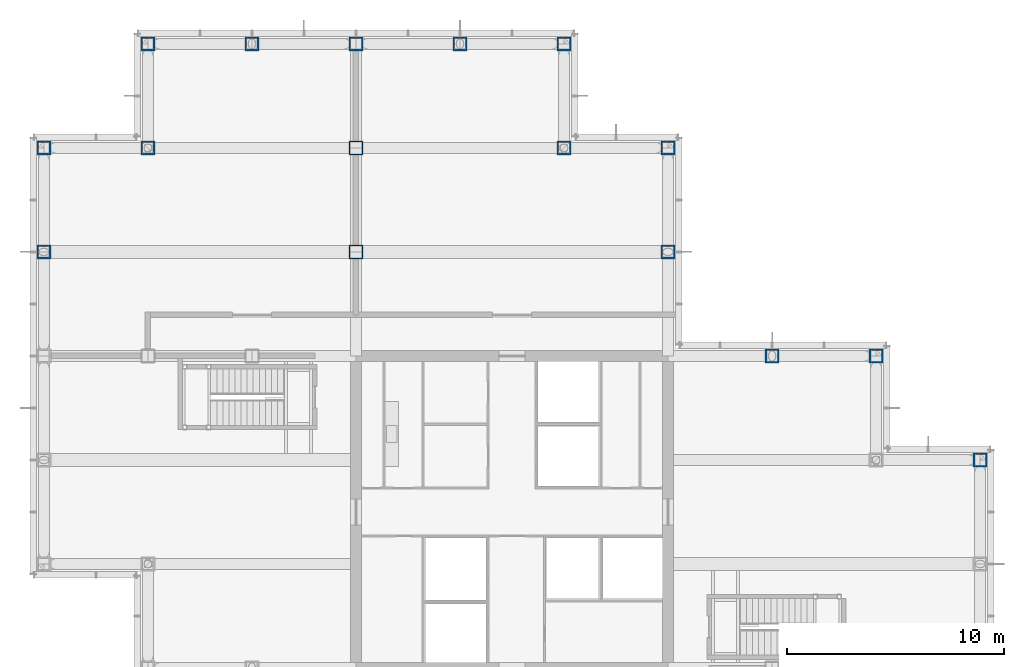
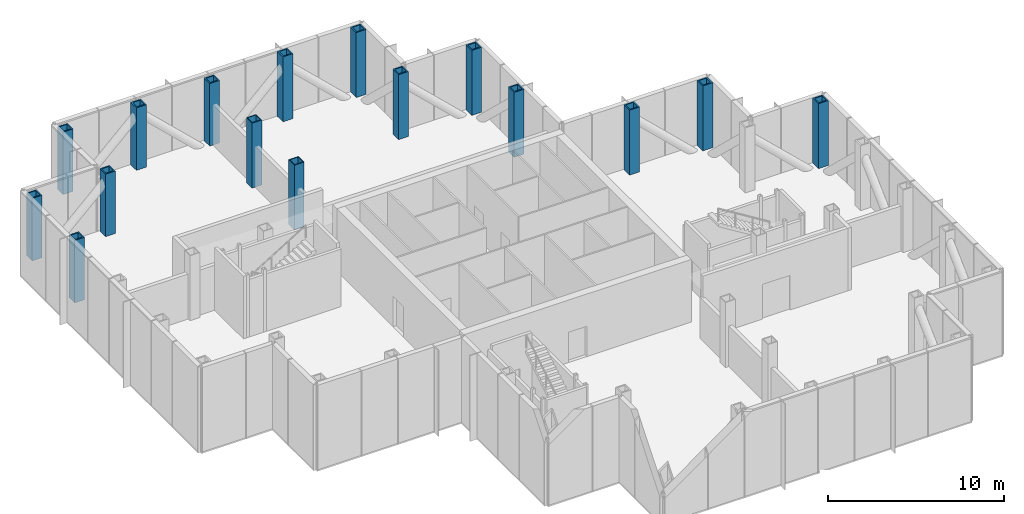
# One storey, part 5 of 17: 16 columns.
"""IFC4 building model written with IfcOpenShell, lengths in metres."""

from ifc_helpers import new_model, si_unit, direction, frame, origin, origin_2d, place, context, subcontext, project, spatial, hollow_rectangle, extrude, material, material_profile, profile_set, type_object, element, save


model = new_model("IFC4")

# Units and contexts
model_context = context("Model", 3, precision=1e-05, world=origin(), true_north=direction((0.0, 1.0)))
body_context = subcontext(model_context, "Body", "Model", "MODEL_VIEW")
ifc_project = project(units=[si_unit("LENGTHUNIT", "METRE"), si_unit("AREAUNIT", "SQUARE_METRE"), si_unit("VOLUMEUNIT", "CUBIC_METRE"), si_unit("PLANEANGLEUNIT", "RADIAN"), si_unit("MASSUNIT", "GRAM", prefix="KILO")], contexts=[model_context])

# Site, building, storey
site_placement = place(None, origin())
site = spatial("IfcSite", under=ifc_project, at=site_placement, CompositionType="ELEMENT")
building_placement = place(site_placement, origin())
building = spatial("IfcBuilding", under=site, at=building_placement, Name="Kvirike Care Tower", CompositionType="ELEMENT")
storey_placement = place(building_placement, frame((0.0, 0.0, 136.5)))
storey = spatial("IfcBuildingStorey", under=building, at=storey_placement, Name="L37", CompositionType="ELEMENT", Elevation=136.5)

# Columns
ifc_material_1 = material(Name="Steel S460", Category="steel")
ifc_material_profile_1 = material_profile(ifc_material_1, hollow_rectangle(XDim=0.64990234375, YDim=0.64990234375, WallThickness=0.050048828125, at=origin_2d()), Name="BX 650x650x50")
ifc_profile_set_1 = profile_set([ifc_material_profile_1], Name="Steel S460")
column_type_1 = type_object("IfcColumnType", Name="COLUMN BX 650x650x50", PredefinedType="COLUMN", material=ifc_profile_set_1)
for number, where, z_axis, x_axis, name in (
    (1, (14.39990234375, 48.0, 0.0), (0.0, 0.0, 1.0), (1.0, 0.0, 0.0), "Column L6 L37"),
    (2, (14.39990234375, 52.800048828125, 0.0), (0.0, 0.0, 1.0), (1.0, 0.0, 0.0), "Column M6 L37"),
):
    element("IfcColumn", number, at=place(storey_placement, frame(where, z_axis=z_axis, x_axis=x_axis)), inside=storey, type_object=column_type_1, Name=name, PredefinedType="COLUMN", context=body_context, shape_type="SweptSolid", body=[
        extrude(hollow_rectangle(XDim=0.64990234375, YDim=0.64990234375, WallThickness=0.050048828125, at=origin_2d()), origin(), (0.0, 0.0, 1.0), 4.5),
    ])
ifc_material_2 = material(Name="Steel S460", Category="steel")
ifc_material_profile_2 = material_profile(ifc_material_2, hollow_rectangle(XDim=0.64990234375, YDim=0.64990234375, WallThickness=0.080078125, at=origin_2d()), Name="BX 650x650x80")
ifc_profile_set_2 = profile_set([ifc_material_profile_2], Name="Steel S460")
column_type_2 = type_object("IfcColumnType", Name="COLUMN BX 650x650x80", PredefinedType="COLUMN", material=ifc_profile_set_2)
for number, where, z_axis, x_axis, name in (
    (3, (0.0, 48.0, 0.0), (0.0, 0.0, 1.0), (1.0, 0.0, 0.0), "Column L3 L37"),
    (4, (0.0, 52.800048828125, 0.0), (0.0, 0.0, 1.0), (0.0, 1.0, 0.0), "Column M3 L37"),
    (5, (4.800048828125, 52.800048828125, 0.0), (0.0, 0.0, 1.0), (0.0, 1.0, 0.0), "Column M4 L37"),
    (6, (4.800048828125, 57.60009765625, 0.0), (0.0, 0.0, 1.0), (0.0, 1.0, 0.0), "Column N4 L37"),
    (7, (9.60009765625, 57.60009765625, 0.0), (0.0, 0.0, 1.0), (0.0, 1.0, 0.0), "Column N5 L37"),
    (8, (14.39990234375, 57.60009765625, 0.0), (0.0, 0.0, 1.0), (0.0, 1.0, 0.0), "Column N6 L37"),
):
    element("IfcColumn", number, at=place(storey_placement, frame(where, z_axis=z_axis, x_axis=x_axis)), inside=storey, type_object=column_type_2, Name=name, PredefinedType="COLUMN", context=body_context, shape_type="SweptSolid", body=[
        extrude(hollow_rectangle(XDim=0.64990234375, YDim=0.64990234375, WallThickness=0.080078125, at=origin_2d()), origin(), (0.0, 0.0, 1.0), 4.330078125),
    ])
for number, where, z_axis, x_axis, name in (
    (9, (19.199951171875, 57.60009765625, 0.0), (0.0, 0.0, 1.0), (0.0, 1.0, 0.0), "Column N7 L37"),
    (10, (24.0, 52.800048828125, 0.0), (0.0, 0.0, 1.0), (0.0, 1.0, 0.0), "Column M8 L37"),
    (11, (24.0, 57.60009765625, 0.0), (0.0, 0.0, 1.0), (0.0, 1.0, 0.0), "Column N8 L37"),
    (12, (28.800048828125, 48.0, 0.0), (0.0, 0.0, 1.0), (1.0, 0.0, 0.0), "Column L9 L37"),
    (13, (28.800048828125, 52.800048828125, 0.0), (0.0, 0.0, 1.0), (0.0, 1.0, 0.0), "Column M9 L37"),
    (14, (33.60009765625, 43.199951171875, 0.0), (0.0, 0.0, 1.0), (0.0, 1.0, 0.0), "Column K10 L37"),
    (15, (38.39990234375, 43.199951171875, 0.0), (0.0, 0.0, 1.0), (0.0, 1.0, 0.0), "Column K11 L37"),
    (16, (43.199951171875, 38.39990234375, 0.0), (0.0, 0.0, 1.0), (0.0, 1.0, 0.0), "Column J12 L37"),
):
    element("IfcColumn", number, at=place(storey_placement, frame(where, z_axis=z_axis, x_axis=x_axis)), inside=storey, type_object=column_type_2, Name=name, PredefinedType="COLUMN", context=body_context, shape_type="SweptSolid", body=[
        extrude(hollow_rectangle(XDim=0.64990234375, YDim=0.64990234375, WallThickness=0.080078125, at=origin_2d()), origin(), (0.0, 0.0, 1.0), 4.5),
    ])

save(model, "model.ifc")
